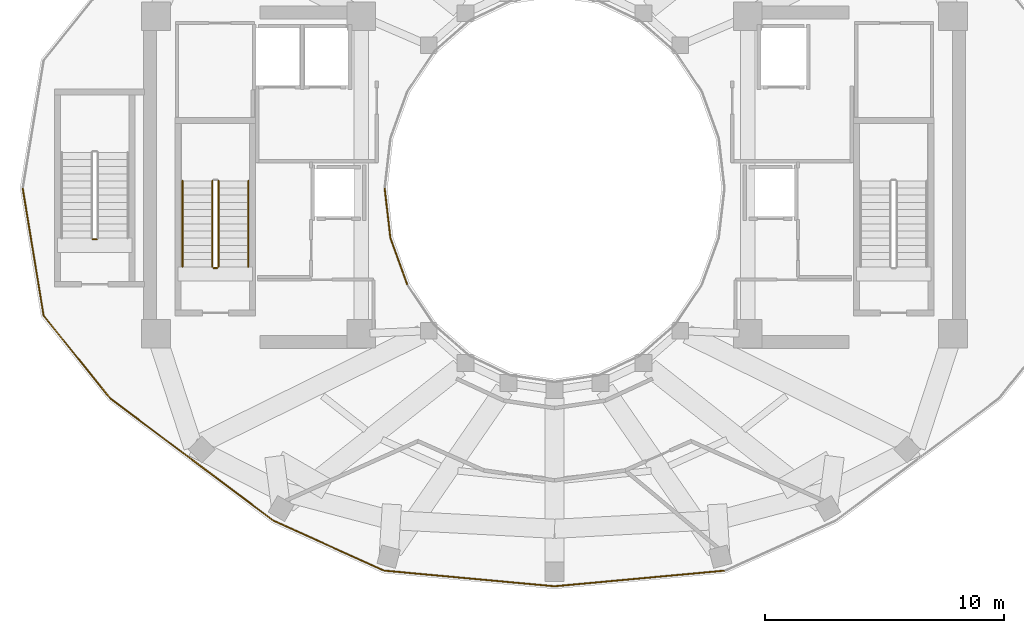
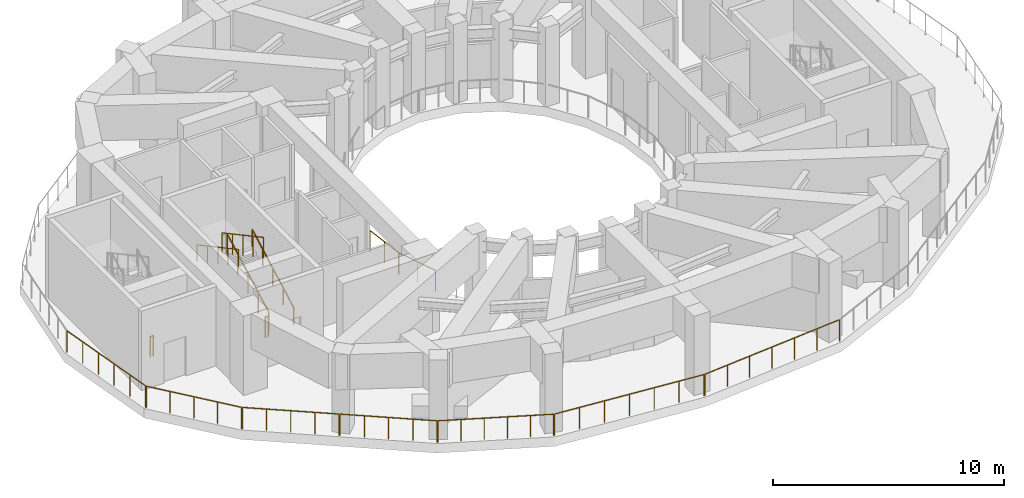
# One storey, part 5 of 9: 15 railings.
"""IFC4 building model written with IfcOpenShell, lengths in metres."""

from ifc_helpers import new_model, si_unit, direction, frame, origin, origin_2d, place, context, subcontext, project, spatial, circle, extrude, material, type_object, element, save


model = new_model("IFC4")

# Units and contexts
model_context = context("Model", 3, precision=1e-05, world=origin(), true_north=direction((0.0, 1.0)))
body_context = subcontext(model_context, "Body", "Model", "MODEL_VIEW")
ifc_project = project(units=[si_unit("LENGTHUNIT", "METRE"), si_unit("AREAUNIT", "SQUARE_METRE"), si_unit("VOLUMEUNIT", "CUBIC_METRE"), si_unit("PLANEANGLEUNIT", "RADIAN"), si_unit("MASSUNIT", "GRAM", prefix="KILO")], contexts=[model_context])

# Site, building, storey
site_placement = place(None, origin())
site = spatial("IfcSite", under=ifc_project, at=site_placement, CompositionType="ELEMENT")
building_placement = place(site_placement, origin())
building = spatial("IfcBuilding", under=site, at=building_placement, Name="Solvane Sanctuary Tower", CompositionType="ELEMENT")
storey_placement = place(building_placement, frame((0.0, 0.0, 197.39990234375)))
storey = spatial("IfcBuildingStorey", under=building, at=storey_placement, Name="L60", CompositionType="ELEMENT", Elevation=197.39990234375)

# Railings
ifc_material = material(Name="Architectural Stainless Steel 316", Category="steel")
railing_type_1 = type_object("IfcRailingType", Name="Railing GR-BALC-1150", PredefinedType="BALUSTRADE", material=ifc_material)
railing_1_placement = place(storey_placement, frame((9.715087890625, 22.980224609375, 0.0)))
element("IfcRailing", 1, at=railing_1_placement, inside=storey, type_object=railing_type_1, Name="L60 Open Void-Portal Perimeter Balustrade 12", PredefinedType="BALUSTRADE", context=body_context, shape_type="SweptSolid", body=[
    extrude(circle(Radius=0.02392578125, at=origin_2d()), frame((0.0, 0.0, 1.1259765625), z_axis=(0.162058943267, -0.986781079524, 0.0), x_axis=(0.986781079524, 0.162058943267, 0.0)), (0.0, 0.0, 1.0), 5.381103515625),
    extrude(circle(Radius=0.02099609375, at=origin_2d()), origin(), (0.0, 0.0, 1.0), 1.101806640625),
    extrude(circle(Radius=0.02099609375, at=origin_2d()), frame((0.17431640625, -1.06201171875, 0.0)), (0.0, 0.0, 1.0), 1.101806640625),
    extrude(circle(Radius=0.02099609375, at=origin_2d()), frame((0.348876953125, -2.1240234375, 0.0)), (0.0, 0.0, 1.0), 1.101806640625),
    extrude(circle(Radius=0.02099609375, at=origin_2d()), frame((0.523193359375, -3.18603515625, 0.0)), (0.0, 0.0, 1.0), 1.101806640625),
    extrude(circle(Radius=0.02099609375, at=origin_2d()), frame((0.69775390625, -4.248046875, 0.0)), (0.0, 0.0, 1.0), 1.101806640625),
    extrude(circle(Radius=0.02099609375, at=origin_2d()), frame((0.8720703125, -5.31005859375, 0.0)), (0.0, 0.0, 1.0), 1.101806640625),
])
railing_2_placement = place(storey_placement, frame((10.602783203125, 17.634765625, 0.0)))
element("IfcRailing", 2, at=railing_2_placement, inside=storey, type_object=railing_type_1, Name="L60 Open Void-Portal Perimeter Balustrade 13", PredefinedType="BALUSTRADE", context=body_context, shape_type="SweptSolid", body=[
    extrude(circle(Radius=0.02392578125, at=origin_2d()), frame((0.0, 0.0, 1.1259765625), z_axis=(0.627456229841, -0.778651834669, 0.0), x_axis=(0.778651834669, 0.627456229841, 0.0)), (0.0, 0.0, 1.0), 4.414794921875),
    extrude(circle(Radius=0.02099609375, at=origin_2d()), origin(), (0.0, 0.0, 1.0), 1.101806640625),
    extrude(circle(Radius=0.02099609375, at=origin_2d()), frame((0.6923828125, -0.859375, 0.0)), (0.0, 0.0, 1.0), 1.101806640625),
    extrude(circle(Radius=0.02099609375, at=origin_2d()), frame((1.385009765625, -1.71875, 0.0)), (0.0, 0.0, 1.0), 1.101806640625),
    extrude(circle(Radius=0.02099609375, at=origin_2d()), frame((2.07763671875, -2.578125, 0.0)), (0.0, 0.0, 1.0), 1.101806640625),
    extrude(circle(Radius=0.02099609375, at=origin_2d()), frame((2.77001953125, -3.4375, 0.0)), (0.0, 0.0, 1.0), 1.101806640625),
])
railing_3_placement = place(storey_placement, frame((13.4013671875, 14.169677734375, 0.0)))
element("IfcRailing", 3, at=railing_3_placement, inside=storey, type_object=railing_type_1, Name="L60 Open Void-Portal Perimeter Balustrade 14", PredefinedType="BALUSTRADE", context=body_context, shape_type="SweptSolid", body=[
    extrude(circle(Radius=0.02392578125, at=origin_2d()), frame((0.0, 0.0, 1.1259765625), z_axis=(0.800781696112, -0.598956321589, 0.0), x_axis=(0.598956321589, 0.800781696112, 0.0)), (0.0, 0.0, 1.0), 4.2314453125),
    extrude(circle(Radius=0.02099609375, at=origin_2d()), origin(), (0.0, 0.0, 1.0), 1.101806640625),
    extrude(circle(Radius=0.02099609375, at=origin_2d()), frame((0.84716796875, -0.633544921875, 0.0)), (0.0, 0.0, 1.0), 1.101806640625),
    extrude(circle(Radius=0.02099609375, at=origin_2d()), frame((1.6943359375, -1.26708984375, 0.0)), (0.0, 0.0, 1.0), 1.101806640625),
    extrude(circle(Radius=0.02099609375, at=origin_2d()), frame((2.541259765625, -1.90087890625, 0.0)), (0.0, 0.0, 1.0), 1.101806640625),
    extrude(circle(Radius=0.02099609375, at=origin_2d()), frame((3.388427734375, -2.534423828125, 0.0)), (0.0, 0.0, 1.0), 1.101806640625),
])
railing_4_placement = place(storey_placement, frame((16.82177734375, 11.611328125, 0.0)))
element("IfcRailing", 4, at=railing_4_placement, inside=storey, type_object=railing_type_1, Name="L60 Open Void-Portal Perimeter Balustrade 15", PredefinedType="BALUSTRADE", context=body_context, shape_type="SweptSolid", body=[
    extrude(circle(Radius=0.02392578125, at=origin_2d()), frame((0.0, 0.0, 1.1259765625), z_axis=(0.800193888641, -0.599741394754, 0.0), x_axis=(0.599741394754, 0.800193888641, 0.0)), (0.0, 0.0, 1.0), 4.22998046875),
    extrude(circle(Radius=0.02099609375, at=origin_2d()), origin(), (0.0, 0.0, 1.0), 1.101806640625),
    extrude(circle(Radius=0.02099609375, at=origin_2d()), frame((0.84619140625, -0.63427734375, 0.0)), (0.0, 0.0, 1.0), 1.101806640625),
    extrude(circle(Radius=0.02099609375, at=origin_2d()), frame((1.6923828125, -1.2685546875, 0.0)), (0.0, 0.0, 1.0), 1.101806640625),
    extrude(circle(Radius=0.02099609375, at=origin_2d()), frame((2.53857421875, -1.902587890625, 0.0)), (0.0, 0.0, 1.0), 1.101806640625),
    extrude(circle(Radius=0.02099609375, at=origin_2d()), frame((3.384765625, -2.536865234375, 0.0)), (0.0, 0.0, 1.0), 1.101806640625),
])
railing_5_placement = place(storey_placement, frame((20.24072265625, 9.05419921875, 0.0)))
element("IfcRailing", 5, at=railing_5_placement, inside=storey, type_object=railing_type_1, Name="L60 Open Void-Portal Perimeter Balustrade 16", PredefinedType="BALUSTRADE", context=body_context, shape_type="SweptSolid", body=[
    extrude(circle(Radius=0.02392578125, at=origin_2d()), frame((0.0, 0.0, 1.1259765625), z_axis=(0.911317289511, -0.411704745952, 0.0), x_axis=(0.411704745952, 0.911317289511, 0.0)), (0.0, 0.0, 1.0), 5.04345703125),
    extrude(circle(Radius=0.02099609375, at=origin_2d()), origin(), (0.0, 0.0, 1.0), 1.101806640625),
    extrude(circle(Radius=0.02099609375, at=origin_2d()), frame((0.919189453125, -0.415283203125, 0.0)), (0.0, 0.0, 1.0), 1.101806640625),
    extrude(circle(Radius=0.02099609375, at=origin_2d()), frame((1.83837890625, -0.83056640625, 0.0)), (0.0, 0.0, 1.0), 1.101806640625),
    extrude(circle(Radius=0.02099609375, at=origin_2d()), frame((2.7578125, -1.245849609375, 0.0)), (0.0, 0.0, 1.0), 1.101806640625),
    extrude(circle(Radius=0.02099609375, at=origin_2d()), frame((3.677001953125, -1.6611328125, 0.0)), (0.0, 0.0, 1.0), 1.101806640625),
    extrude(circle(Radius=0.02099609375, at=origin_2d()), frame((4.59619140625, -2.076416015625, 0.0)), (0.0, 0.0, 1.0), 1.101806640625),
])
railing_6_placement = place(storey_placement, frame((24.875, 6.9677734375, 0.0)))
element("IfcRailing", 6, at=railing_6_placement, inside=storey, type_object=railing_type_1, Name="L60 Open Void-Portal Perimeter Balustrade 17", PredefinedType="BALUSTRADE", context=body_context, shape_type="SweptSolid", body=[
    extrude(circle(Radius=0.02392578125, at=origin_2d()), frame((0.0, 0.0, 1.1259765625), z_axis=(0.995789630686, -0.091667941056, 0.0), x_axis=(0.091667941056, 0.995789630686, 0.0)), (0.0, 0.0, 1.0), 7.135009765625),
    extrude(circle(Radius=0.02099609375, at=origin_2d()), origin(), (0.0, 0.0, 1.0), 1.101806640625),
    extrude(circle(Radius=0.02099609375, at=origin_2d()), frame((1.18408203125, -0.10888671875, 0.0)), (0.0, 0.0, 1.0), 1.101806640625),
    extrude(circle(Radius=0.02099609375, at=origin_2d()), frame((2.368408203125, -0.218017578125, 0.0)), (0.0, 0.0, 1.0), 1.101806640625),
    extrude(circle(Radius=0.02099609375, at=origin_2d()), frame((3.552490234375, -0.3271484375, 0.0)), (0.0, 0.0, 1.0), 1.101806640625),
    extrude(circle(Radius=0.02099609375, at=origin_2d()), frame((4.736572265625, -0.43603515625, 0.0)), (0.0, 0.0, 1.0), 1.101806640625),
    extrude(circle(Radius=0.02099609375, at=origin_2d()), frame((5.9208984375, -0.544921875, 0.0)), (0.0, 0.0, 1.0), 1.101806640625),
    extrude(circle(Radius=0.02099609375, at=origin_2d()), frame((7.10498046875, -0.654052734375, 0.0)), (0.0, 0.0, 1.0), 1.101806640625),
])
railing_7_placement = place(storey_placement, frame((32.02001953125, 6.313720703125, 0.0)))
element("IfcRailing", 7, at=railing_7_placement, inside=storey, type_object=railing_type_1, Name="L60 Open Void-Portal Perimeter Balustrade 18", PredefinedType="BALUSTRADE", context=body_context, shape_type="SweptSolid", body=[
    extrude(circle(Radius=0.02392578125, at=origin_2d()), frame((0.0, 0.0, 1.1259765625), z_axis=(0.995789630686, 0.091667941056, 0.0), x_axis=(-0.091667941056, 0.995789630686, 0.0)), (0.0, 0.0, 1.0), 7.135009765625),
    extrude(circle(Radius=0.02099609375, at=origin_2d()), origin(), (0.0, 0.0, 1.0), 1.101806640625),
    extrude(circle(Radius=0.02099609375, at=origin_2d()), frame((1.18408203125, 0.10888671875, 0.0)), (0.0, 0.0, 1.0), 1.101806640625),
    extrude(circle(Radius=0.02099609375, at=origin_2d()), frame((2.368408203125, 0.218017578125, 0.0)), (0.0, 0.0, 1.0), 1.101806640625),
    extrude(circle(Radius=0.02099609375, at=origin_2d()), frame((3.552490234375, 0.3271484375, 0.0)), (0.0, 0.0, 1.0), 1.101806640625),
    extrude(circle(Radius=0.02099609375, at=origin_2d()), frame((4.736572265625, 0.43603515625, 0.0)), (0.0, 0.0, 1.0), 1.101806640625),
    extrude(circle(Radius=0.02099609375, at=origin_2d()), frame((5.9208984375, 0.544921875, 0.0)), (0.0, 0.0, 1.0), 1.101806640625),
    extrude(circle(Radius=0.02099609375, at=origin_2d()), frame((7.10498046875, 0.654052734375, 0.0)), (0.0, 0.0, 1.0), 1.101806640625),
])
railing_8_placement = place(storey_placement, frame((17.919921875, 19.699951171875, 0.16162109375)))
element("IfcRailing", 8, at=railing_8_placement, inside=storey, type_object=railing_type_1, Name="L60 ST-1 stair guard 1", PredefinedType="BALUSTRADE", context=body_context, shape_type="SweptSolid", body=[
    extrude(circle(Radius=0.02392578125, at=origin_2d()), frame((0.0, 0.0, 1.076171875), z_axis=(0.0, 0.880474934443, 0.474092701714), x_axis=(-1.0, 0.0, 0.0)), (0.0, 0.0, 1.0), 4.0888671875),
    extrude(circle(Radius=0.02099609375, at=origin_2d()), origin(), (0.0, 0.0, 1.0), 1.052001953125),
    extrude(circle(Radius=0.02099609375, at=origin_2d()), frame((0.0, 0.89990234375, 0.484619140625)), (0.0, 0.0, 1.0), 1.052001953125),
    extrude(circle(Radius=0.02099609375, at=origin_2d()), frame((0.0, 1.800048828125, 0.96923828125)), (0.0, 0.0, 1.0), 1.052001953125),
    extrude(circle(Radius=0.02099609375, at=origin_2d()), frame((0.0, 2.7001953125, 1.453857421875)), (0.0, 0.0, 1.0), 1.052001953125),
    extrude(circle(Radius=0.02099609375, at=origin_2d()), frame((0.0, 3.60009765625, 1.9384765625)), (0.0, 0.0, 1.0), 1.052001953125),
])
railing_9_placement = place(storey_placement, frame((17.659912109375, 23.300048828125, 2.26171875)))
element("IfcRailing", 9, at=railing_9_placement, inside=storey, type_object=railing_type_1, Name="L60 ST-1 stair guard 3", PredefinedType="BALUSTRADE", context=body_context, shape_type="SweptSolid", body=[
    extrude(circle(Radius=0.02392578125, at=origin_2d()), frame((0.0, 0.0, 1.076171875), z_axis=(0.0, -0.880474934443, 0.474092701714), x_axis=(1.0, 0.0, 0.0)), (0.0, 0.0, 1.0), 4.0888671875),
    extrude(circle(Radius=0.02099609375, at=origin_2d()), origin(), (0.0, 0.0, 1.0), 1.052001953125),
    extrude(circle(Radius=0.02099609375, at=origin_2d()), frame((0.0, -0.89990234375, 0.484619140625)), (0.0, 0.0, 1.0), 1.052001953125),
    extrude(circle(Radius=0.02099609375, at=origin_2d()), frame((0.0, -1.800048828125, 0.96923828125)), (0.0, 0.0, 1.0), 1.052001953125),
    extrude(circle(Radius=0.02099609375, at=origin_2d()), frame((0.0, -2.7001953125, 1.453857421875)), (0.0, 0.0, 1.0), 1.052001953125),
    extrude(circle(Radius=0.02099609375, at=origin_2d()), frame((0.0, -3.60009765625, 1.9384765625)), (0.0, 0.0, 1.0), 1.052001953125),
])
for number, where, name in (
    (10, (17.8701171875, 19.64990234375, 0.0), "L60 ST-1 stair guard 4"),
    (11, (12.81005859375, 20.85009765625, 0.0), "L60 ST-3 stair guard 4"),
):
    element("IfcRailing", number, at=place(storey_placement, frame(where)), inside=storey, type_object=railing_type_1, Name=name, PredefinedType="BALUSTRADE", context=body_context, shape_type="SweptSolid", body=[
        extrude(circle(Radius=0.02392578125, at=origin_2d()), frame((0.0, 0.0, 1.076171875), z_axis=(-1.0, 0.0, 0.0), x_axis=(0.0, -1.0, 0.0)), (0.0, 0.0, 1.0), 0.16015625),
        extrude(circle(Radius=0.02099609375, at=origin_2d()), origin(), (0.0, 0.0, 1.0), 1.052001953125),
        extrude(circle(Radius=0.02099609375, at=origin_2d()), frame((-0.16015625, 0.0, 0.0)), (0.0, 0.0, 1.0), 1.052001953125),
    ])
railing_type_2 = type_object("IfcRailingType", Name="Railing GR-WELL-1150", PredefinedType="GUARDRAIL", material=ifc_material)
railing_10_placement = place(storey_placement, frame((24.88232421875, 22.97998046875, 0.0)))
element("IfcRailing", 12, at=railing_10_placement, inside=storey, type_object=railing_type_2, Name="L60 Open Refuge Light-Well Guardrail 12", PredefinedType="GUARDRAIL", context=body_context, shape_type="SweptSolid", body=[
    extrude(circle(Radius=0.02392578125, at=origin_2d()), frame((0.0, 0.0, 1.1259765625), z_axis=(0.114691080618, -0.993401205972, 0.0), x_axis=(0.993401205972, 0.114691080618, 0.0)), (0.0, 0.0, 1.0), 2.075439453125),
    extrude(circle(Radius=0.02099609375, at=origin_2d()), origin(), (0.0, 0.0, 1.0), 1.101806640625),
    extrude(circle(Radius=0.02099609375, at=origin_2d()), frame((0.119140625, -1.03076171875, 0.0)), (0.0, 0.0, 1.0), 1.101806640625),
    extrude(circle(Radius=0.02099609375, at=origin_2d()), frame((0.238037109375, -2.061767578125, 0.0)), (0.0, 0.0, 1.0), 1.101806640625),
])
railing_11_placement = place(storey_placement, frame((25.12939453125, 20.879638671875, 0.0)))
element("IfcRailing", 13, at=railing_11_placement, inside=storey, type_object=railing_type_2, Name="L60 Open Refuge Light-Well Guardrail 13", PredefinedType="GUARDRAIL", context=body_context, shape_type="SweptSolid", body=[
    extrude(circle(Radius=0.02392578125, at=origin_2d()), frame((0.0, 0.0, 1.1259765625), z_axis=(0.341416925197, -0.93991195502, 0.0), x_axis=(0.93991195502, 0.341416925197, 0.0)), (0.0, 0.0, 1.0), 2.043701171875),
    extrude(circle(Radius=0.02099609375, at=origin_2d()), origin(), (0.0, 0.0, 1.0), 1.101806640625),
    extrude(circle(Radius=0.02099609375, at=origin_2d()), frame((0.348876953125, -0.96044921875, 0.0)), (0.0, 0.0, 1.0), 1.101806640625),
    extrude(circle(Radius=0.02099609375, at=origin_2d()), frame((0.69775390625, -1.9208984375, 0.0)), (0.0, 0.0, 1.0), 1.101806640625),
])
railing_type_3 = type_object("IfcRailingType", Name="Railing HR-STAIR-920", PredefinedType="HANDRAIL", material=ifc_material)
railing_12_placement = place(storey_placement, frame((19.169921875, 19.699951171875, 0.16162109375)))
element("IfcRailing", 14, at=railing_12_placement, inside=storey, type_object=railing_type_3, Name="L60 ST-1 stair handrail 1", PredefinedType="HANDRAIL", context=body_context, shape_type="SweptSolid", body=[
    extrude(circle(Radius=0.02392578125, at=origin_2d()), frame((0.0, 0.0, 0.8759765625), z_axis=(0.0, 0.880474934443, 0.474092701714), x_axis=(-1.0, 0.0, 0.0)), (0.0, 0.0, 1.0), 4.0888671875),
    extrude(circle(Radius=0.02099609375, at=origin_2d()), origin(), (0.0, 0.0, 1.0), 0.851806640625),
    extrude(circle(Radius=0.02099609375, at=origin_2d()), frame((0.0, 0.89990234375, 0.484619140625)), (0.0, 0.0, 1.0), 0.851806640625),
    extrude(circle(Radius=0.02099609375, at=origin_2d()), frame((0.0, 1.800048828125, 0.96923828125)), (0.0, 0.0, 1.0), 0.851806640625),
    extrude(circle(Radius=0.02099609375, at=origin_2d()), frame((0.0, 2.7001953125, 1.453857421875)), (0.0, 0.0, 1.0), 0.851806640625),
    extrude(circle(Radius=0.02099609375, at=origin_2d()), frame((0.0, 3.60009765625, 1.9384765625)), (0.0, 0.0, 1.0), 0.851806640625),
])
railing_13_placement = place(storey_placement, frame((16.409912109375, 23.300048828125, 2.26171875)))
element("IfcRailing", 15, at=railing_13_placement, inside=storey, type_object=railing_type_3, Name="L60 ST-1 stair handrail 2", PredefinedType="HANDRAIL", context=body_context, shape_type="SweptSolid", body=[
    extrude(circle(Radius=0.02392578125, at=origin_2d()), frame((0.0, 0.0, 0.8759765625), z_axis=(0.0, -0.880474934443, 0.474092701714), x_axis=(1.0, 0.0, 0.0)), (0.0, 0.0, 1.0), 4.0888671875),
    extrude(circle(Radius=0.02099609375, at=origin_2d()), origin(), (0.0, 0.0, 1.0), 0.851806640625),
    extrude(circle(Radius=0.02099609375, at=origin_2d()), frame((0.0, -0.89990234375, 0.484619140625)), (0.0, 0.0, 1.0), 0.851806640625),
    extrude(circle(Radius=0.02099609375, at=origin_2d()), frame((0.0, -1.800048828125, 0.96923828125)), (0.0, 0.0, 1.0), 0.851806640625),
    extrude(circle(Radius=0.02099609375, at=origin_2d()), frame((0.0, -2.7001953125, 1.453857421875)), (0.0, 0.0, 1.0), 0.851806640625),
    extrude(circle(Radius=0.02099609375, at=origin_2d()), frame((0.0, -3.60009765625, 1.9384765625)), (0.0, 0.0, 1.0), 0.851806640625),
])

save(model, "model.ifc")
